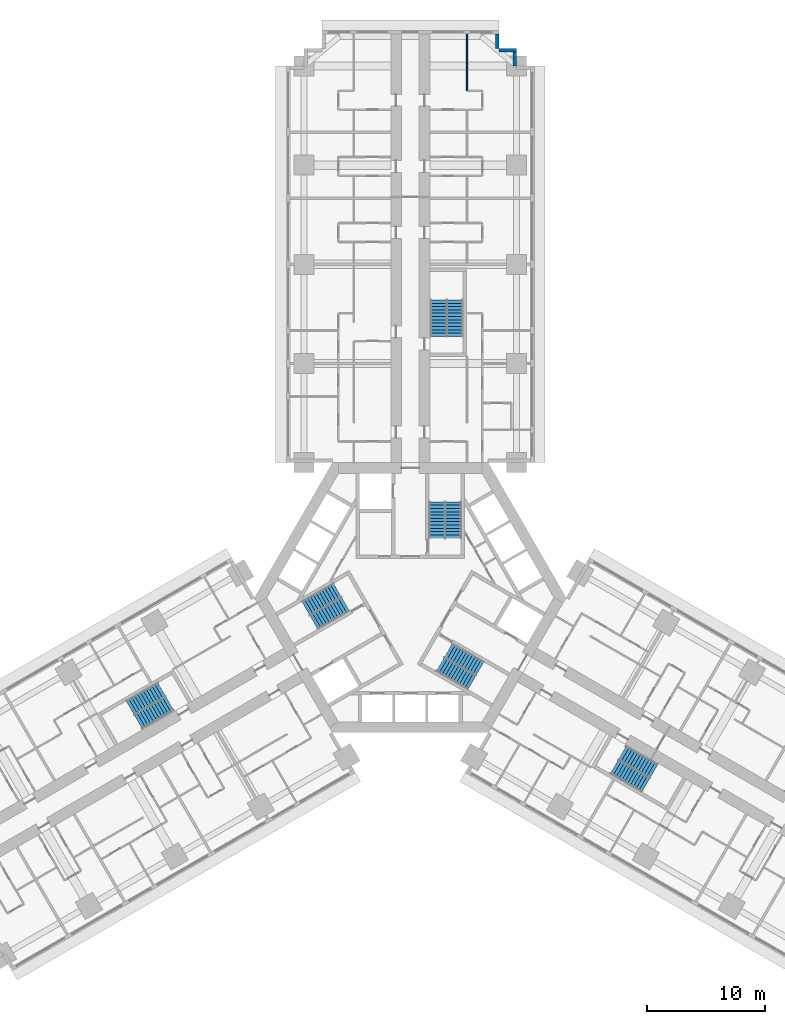
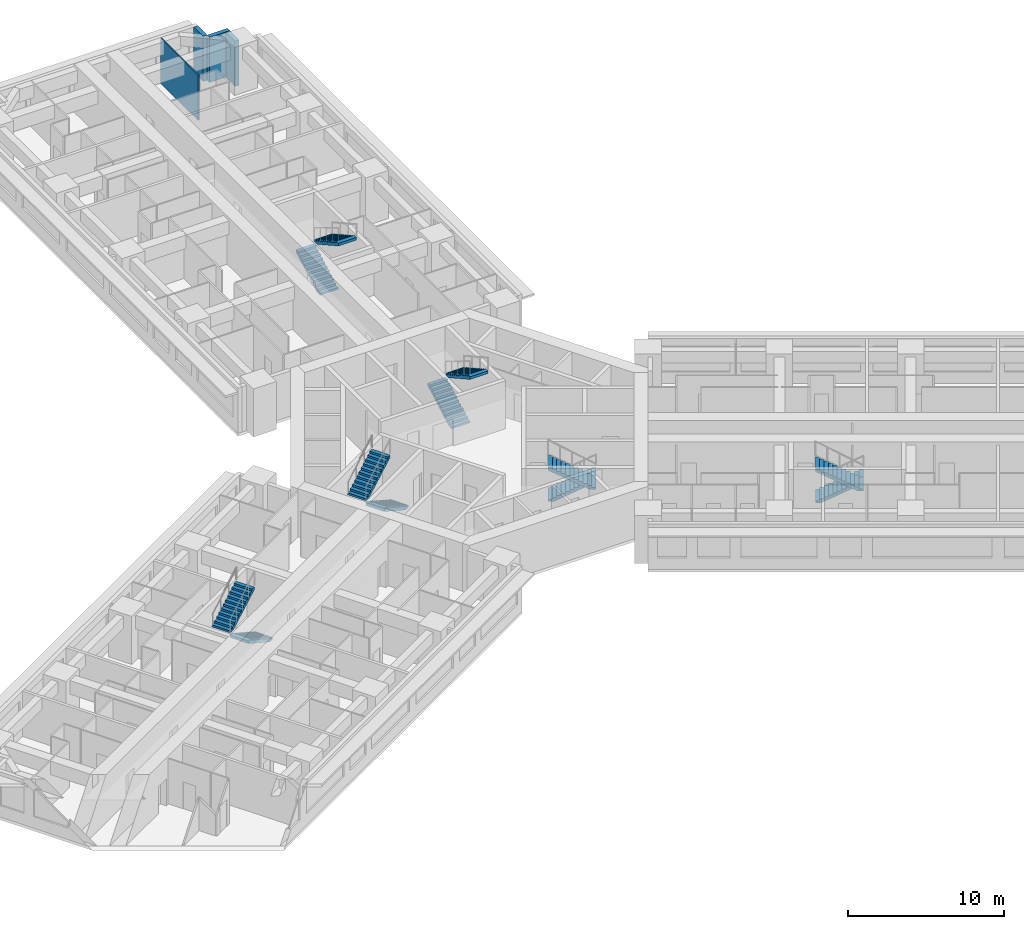
# One storey, part 15 of 16: 12 stair flights, 4 walls, 6 elements without a shape of their own.
"""IFC4 building model written with IfcOpenShell, lengths in metres."""

from ifc_helpers import new_model, si_unit, direction, frame, frame_2d, origin, place, context, subcontext, project, spatial, polyline, rectangle, outline, extrude, material, layer, layer_set, type_object, element, aggregate, save


model = new_model("IFC4")

# Units and contexts
model_context = context("Model", 3, precision=1e-05, world=origin(), true_north=direction((0.0, 1.0)))
body_context = subcontext(model_context, "Body", "Model", "MODEL_VIEW")
ifc_project = project(units=[si_unit("LENGTHUNIT", "METRE"), si_unit("AREAUNIT", "SQUARE_METRE"), si_unit("VOLUMEUNIT", "CUBIC_METRE"), si_unit("PLANEANGLEUNIT", "RADIAN"), si_unit("MASSUNIT", "GRAM", prefix="KILO")], contexts=[model_context])

# Site, building, storey
site_placement = place(None, origin())
site = spatial("IfcSite", under=ifc_project, at=site_placement, CompositionType="ELEMENT")
building_placement = place(site_placement, origin())
building = spatial("IfcBuilding", under=site, at=building_placement, Name="Impinga Residences", CompositionType="ELEMENT")
storey_placement = place(building_placement, frame((0.0, 0.0, 48.5)))
storey = spatial("IfcBuildingStorey", under=building, at=storey_placement, Name="L11", CompositionType="ELEMENT", Elevation=48.5)

# Walls
ifc_material_1 = material(Name="Terracotta rainscreen on blockwork", Category="masonry")
ifc_layer_1 = layer(ifc_material_1, 0.300048828125)
ifc_layer_set_1 = layer_set([ifc_layer_1], Name="EW1 external wall, terracotta rainscreen on blockwork 300")
wall_type_1 = type_object("IfcWallType", Name="EW1 external wall, terracotta rainscreen on blockwork 300", PredefinedType="SOLIDWALL", material=ifc_layer_set_1)
wall_1_placement = place(storey_placement, frame((7.35009765625, 47.7314453125, 0.0), z_axis=(0.0, 0.0, 1.0), x_axis=(0.0, -1.0, 0.0)))
element("IfcWall", 1, at=wall_1_placement, inside=storey, type_object=wall_type_1, Name="External wall EW1 L11", PredefinedType="SOLIDWALL", context=body_context, shape_type="SweptSolid", body=[
    extrude(rectangle(XDim=1.19482421875, YDim=0.300048828125, at=frame_2d((0.597412109375, 0.0))), origin(), (0.0, 0.0, 1.0), 3.530029296875),
])
wall_2_placement = place(storey_placement, frame((7.5, 46.381591796875, 0.0), z_axis=(0.0, 0.0, 1.0), x_axis=(1.0, 0.0, 0.0)))
element("IfcWall", 2, at=wall_2_placement, inside=storey, type_object=wall_type_1, Name="External wall EW1 L11", PredefinedType="SOLIDWALL", context=body_context, shape_type="SweptSolid", body=[
    extrude(rectangle(XDim=1.5, YDim=0.300048828125, at=frame_2d((0.75, 0.0))), origin(), (0.0, 0.0, 1.0), 3.530029296875),
])
wall_3_placement = place(storey_placement, frame((8.85009765625, 46.2314453125, 0.0), z_axis=(0.0, 0.0, 1.0), x_axis=(0.0, -1.0, 0.0)))
element("IfcWall", 3, at=wall_3_placement, inside=storey, type_object=wall_type_1, Name="External wall EW1 L11", PredefinedType="SOLIDWALL", context=body_context, shape_type="SweptSolid", body=[
    extrude(rectangle(XDim=1.199951171875, YDim=0.300048828125, at=frame_2d((0.60009765625, 0.0))), origin(), (0.0, 0.0, 1.0), 3.530029296875),
])
ifc_material_2 = material(Name="Gypsum board on steel studs", Category="steel")
ifc_layer_2 = layer(ifc_material_2, 0.10009765625)
ifc_layer_set_2 = layer_set([ifc_layer_2], Name="Gypsum board on steel studs")
wall_type_2 = type_object("IfcWallType", Name="IP1 partition 100", PredefinedType="PARTITIONING", material=ifc_layer_set_2)
wall_4_placement = place(storey_placement, frame((4.800048828125, 42.931640625, 0.0), z_axis=(0.0, 0.0, 1.0), x_axis=(0.0, 1.0, 0.0)))
element("IfcWall", 4, at=wall_4_placement, inside=storey, type_object=wall_type_2, Name="Partition L11-NF4:DIV1", PredefinedType="PARTITIONING", context=body_context, shape_type="SweptSolid", body=[
    extrude(rectangle(XDim=4.7998046875, YDim=0.10009765625, at=frame_2d((2.39990234375, 0.0))), origin(), (0.0, 0.0, 1.0), 3.530029296875),
])

# Stair, stair flights
ifc_material_3 = material(Name="Concrete C40/50", Category="concrete")
stair_type_1 = type_object("IfcStairType", Name="STR core stair 3750 storey, 24 risers", PredefinedType="HALF_TURN_STAIR", material=ifc_material_3)
stair_1_placement = place(storey_placement, origin())
stair_1 = element("IfcStair", 5, at=stair_1_placement, inside=storey, type_object=stair_type_1, Name="Stair ST1 L11", PredefinedType="HALF_TURN_STAIR")
stair_flight_type = type_object("IfcStairFlightType", Name="SF 12 risers of 156", PredefinedType="STRAIGHT", material=ifc_material_3)
stair_flight_1_placement = place(storey_placement, frame((2.27490234375, 5.030029296875, 0.0), z_axis=(0.0, 0.0, 1.0), x_axis=(0.0, 1.0, 0.0)))
stair_flight_1 = element("IfcStairFlight", 6, at=stair_flight_1_placement, type_object=stair_flight_type, Name="ST1 flight 1", NumberOfRisers=12, NumberOfTreads=11, PredefinedType="STRAIGHT", RiserHeight=0.15625, TreadLength=0.28, context=body_context, shape_type="SweptSolid", body=[
    extrude(outline(polyline([(0.0, 0.0), (0.0, 0.15625), (0.280029296875, 0.15625), (0.280029296875, 0.3125), (0.56005859375, 0.3125), (0.56005859375, 0.46875), (0.840087890625, 0.46875), (0.840087890625, 0.625), (1.1201171875, 0.625), (1.1201171875, 0.78125), (1.39990234375, 0.78125), (1.39990234375, 0.9375), (1.679931640625, 0.9375), (1.679931640625, 1.09375), (1.9599609375, 1.09375), (1.9599609375, 1.25), (2.239990234375, 1.25), (2.239990234375, 1.40625), (2.52001953125, 1.40625), (2.52001953125, 1.5625), (2.800048828125, 1.5625), (2.800048828125, 1.71875), (3.080078125, 1.71875), (3.080078125, 1.875), (3.080078125, 1.5126953125), (0.369140625, 0.0), (0.0, 0.0)])), frame((0.0, 0.675048828125, 0.0), z_axis=(0.0, -1.0, 0.0), x_axis=(1.0, 0.0, 0.0)), (0.0, 0.0, 1.0), 1.35009765625),
])
stair_flight_2_placement = place(storey_placement, frame((3.625, 8.110107421875, 1.875), z_axis=(0.0, 0.0, 1.0), x_axis=(0.0, -1.0, 0.0)))
stair_flight_2 = element("IfcStairFlight", 7, at=stair_flight_2_placement, type_object=stair_flight_type, Name="ST1 flight 2", NumberOfRisers=12, NumberOfTreads=11, PredefinedType="STRAIGHT", RiserHeight=0.15625, TreadLength=0.28, context=body_context, shape_type="SweptSolid", body=[
    extrude(outline(polyline([(0.0, 0.0), (0.0, 0.15625), (0.280029296875, 0.15625), (0.280029296875, 0.3125), (0.56005859375, 0.3125), (0.56005859375, 0.46875), (0.840087890625, 0.46875), (0.840087890625, 0.625), (1.1201171875, 0.625), (1.1201171875, 0.78125), (1.39990234375, 0.78125), (1.39990234375, 0.9375), (1.679931640625, 0.9375), (1.679931640625, 1.09375), (1.9599609375, 1.09375), (1.9599609375, 1.25), (2.239990234375, 1.25), (2.239990234375, 1.40625), (2.52001953125, 1.40625), (2.52001953125, 1.5625), (2.800048828125, 1.5625), (2.800048828125, 1.71875), (3.080078125, 1.71875), (3.080078125, 1.875), (3.080078125, 1.5126953125), (0.369140625, 0.0), (0.0, 0.0)])), frame((0.0, 0.675048828125, 0.0), z_axis=(0.0, -1.0, 0.0), x_axis=(1.0, 0.0, 0.0)), (0.0, 0.0, 1.0), 1.35009765625),
])
aggregate(stair_1, [stair_flight_1, stair_flight_2])

stair_2_placement = place(storey_placement, origin())
stair_2 = element("IfcStair", 8, at=stair_2_placement, inside=storey, type_object=stair_type_1, Name="Stair ST2 L11", PredefinedType="HALF_TURN_STAIR")
stair_flight_3_placement = place(storey_placement, frame((-5.49365234375, -0.544677734375, 0.0), z_axis=(0.0, 0.0, 1.0), x_axis=(-0.866025403784, -0.5, 0.0)))
stair_flight_3 = element("IfcStairFlight", 9, at=stair_flight_3_placement, type_object=stair_flight_type, Name="ST2 flight 1", NumberOfRisers=12, NumberOfTreads=11, PredefinedType="STRAIGHT", RiserHeight=0.15625, TreadLength=0.28, context=body_context, shape_type="SweptSolid", body=[
    extrude(outline(polyline([(0.0, 0.0), (0.0, 0.15625), (0.280029296875, 0.15625), (0.280029296875, 0.3125), (0.56005859375, 0.3125), (0.56005859375, 0.46875), (0.840087890625, 0.46875), (0.840087890625, 0.625), (1.1201171875, 0.625), (1.1201171875, 0.78125), (1.39990234375, 0.78125), (1.39990234375, 0.9375), (1.679931640625, 0.9375), (1.679931640625, 1.09375), (1.9599609375, 1.09375), (1.9599609375, 1.25), (2.239990234375, 1.25), (2.239990234375, 1.40625), (2.52001953125, 1.40625), (2.52001953125, 1.5625), (2.800048828125, 1.5625), (2.800048828125, 1.71875), (3.080078125, 1.71875), (3.080078125, 1.875), (3.080078125, 1.5126953125), (0.369140625, 0.0), (0.0, 0.0)])), frame((0.0, 0.675048828125, 0.0), z_axis=(0.0, -1.0, 0.0), x_axis=(1.0, 0.0, 0.0)), (0.0, 0.0, 1.0), 1.35009765625),
])
stair_flight_4_placement = place(storey_placement, frame((-8.8359375, -0.915771484375, 1.875), z_axis=(0.0, 0.0, 1.0), x_axis=(0.866025403784, 0.5, 0.0)))
stair_flight_4 = element("IfcStairFlight", 10, at=stair_flight_4_placement, type_object=stair_flight_type, Name="ST2 flight 2", NumberOfRisers=12, NumberOfTreads=11, PredefinedType="STRAIGHT", RiserHeight=0.15625, TreadLength=0.28, context=body_context, shape_type="SweptSolid", body=[
    extrude(outline(polyline([(0.0, 0.0), (0.0, 0.15625), (0.280029296875, 0.15625), (0.280029296875, 0.3125), (0.56005859375, 0.3125), (0.56005859375, 0.46875), (0.840087890625, 0.46875), (0.840087890625, 0.625), (1.1201171875, 0.625), (1.1201171875, 0.78125), (1.39990234375, 0.78125), (1.39990234375, 0.9375), (1.679931640625, 0.9375), (1.679931640625, 1.09375), (1.9599609375, 1.09375), (1.9599609375, 1.25), (2.239990234375, 1.25), (2.239990234375, 1.40625), (2.52001953125, 1.40625), (2.52001953125, 1.5625), (2.800048828125, 1.5625), (2.800048828125, 1.71875), (3.080078125, 1.71875), (3.080078125, 1.875), (3.080078125, 1.5126953125), (0.369140625, 0.0), (0.0, 0.0)])), frame((0.0, 0.675048828125, 0.0), z_axis=(0.0, -1.0, 0.0), x_axis=(1.0, 0.0, 0.0)), (0.0, 0.0, 1.0), 1.35009765625),
])
aggregate(stair_2, [stair_flight_3, stair_flight_4])

stair_3_placement = place(storey_placement, origin())
stair_3 = element("IfcStair", 11, at=stair_3_placement, inside=storey, type_object=stair_type_1, Name="Stair ST3 L11", PredefinedType="HALF_TURN_STAIR")
stair_flight_5_placement = place(storey_placement, frame((3.218505859375, -4.485107421875, 0.0), z_axis=(0.0, 0.0, 1.0), x_axis=(0.866025403784, -0.5, 0.0)))
stair_flight_5 = element("IfcStairFlight", 12, at=stair_flight_5_placement, type_object=stair_flight_type, Name="ST3 flight 1", NumberOfRisers=12, NumberOfTreads=11, PredefinedType="STRAIGHT", RiserHeight=0.15625, TreadLength=0.28, context=body_context, shape_type="SweptSolid", body=[
    extrude(outline(polyline([(0.0, 0.0), (0.0, 0.15625), (0.280029296875, 0.15625), (0.280029296875, 0.3125), (0.56005859375, 0.3125), (0.56005859375, 0.46875), (0.840087890625, 0.46875), (0.840087890625, 0.625), (1.1201171875, 0.625), (1.1201171875, 0.78125), (1.39990234375, 0.78125), (1.39990234375, 0.9375), (1.679931640625, 0.9375), (1.679931640625, 1.09375), (1.9599609375, 1.09375), (1.9599609375, 1.25), (2.239990234375, 1.25), (2.239990234375, 1.40625), (2.52001953125, 1.40625), (2.52001953125, 1.5625), (2.800048828125, 1.5625), (2.800048828125, 1.71875), (3.080078125, 1.71875), (3.080078125, 1.875), (3.080078125, 1.5126953125), (0.369140625, 0.0), (0.0, 0.0)])), frame((0.0, 0.675048828125, 0.0), z_axis=(0.0, -1.0, 0.0), x_axis=(1.0, 0.0, 0.0)), (0.0, 0.0, 1.0), 1.35009765625),
])
stair_flight_6_placement = place(storey_placement, frame((5.2109375, -7.1943359375, 1.875), z_axis=(0.0, 0.0, 1.0), x_axis=(-0.866025403784, 0.5, 0.0)))
stair_flight_6 = element("IfcStairFlight", 13, at=stair_flight_6_placement, type_object=stair_flight_type, Name="ST3 flight 2", NumberOfRisers=12, NumberOfTreads=11, PredefinedType="STRAIGHT", RiserHeight=0.15625, TreadLength=0.28, context=body_context, shape_type="SweptSolid", body=[
    extrude(outline(polyline([(0.0, 0.0), (0.0, 0.15625), (0.280029296875, 0.15625), (0.280029296875, 0.3125), (0.56005859375, 0.3125), (0.56005859375, 0.46875), (0.840087890625, 0.46875), (0.840087890625, 0.625), (1.1201171875, 0.625), (1.1201171875, 0.78125), (1.39990234375, 0.78125), (1.39990234375, 0.9375), (1.679931640625, 0.9375), (1.679931640625, 1.09375), (1.9599609375, 1.09375), (1.9599609375, 1.25), (2.239990234375, 1.25), (2.239990234375, 1.40625), (2.52001953125, 1.40625), (2.52001953125, 1.5625), (2.800048828125, 1.5625), (2.800048828125, 1.71875), (3.080078125, 1.71875), (3.080078125, 1.875), (3.080078125, 1.5126953125), (0.369140625, 0.0), (0.0, 0.0)])), frame((0.0, 0.675048828125, 0.0), z_axis=(0.0, -1.0, 0.0), x_axis=(1.0, 0.0, 0.0)), (0.0, 0.0, 1.0), 1.35009765625),
])
aggregate(stair_3, [stair_flight_5, stair_flight_6])

stair_type_2 = type_object("IfcStairType", Name="STR wing stair 3750 storey, 24 risers", PredefinedType="HALF_TURN_STAIR", material=ifc_material_3)
stair_4_placement = place(storey_placement, origin())
stair_4 = element("IfcStair", 14, at=stair_4_placement, inside=storey, type_object=stair_type_2, Name="Stair WS1 L11", PredefinedType="HALF_TURN_STAIR")
stair_flight_7_placement = place(storey_placement, frame((2.425048828125, 22.131591796875, 0.0), z_axis=(0.0, 0.0, 1.0), x_axis=(0.0, 1.0, 0.0)))
stair_flight_7 = element("IfcStairFlight", 15, at=stair_flight_7_placement, type_object=stair_flight_type, Name="WS1 flight 1", NumberOfRisers=12, NumberOfTreads=11, PredefinedType="STRAIGHT", RiserHeight=0.15625, TreadLength=0.28, context=body_context, shape_type="SweptSolid", body=[
    extrude(outline(polyline([(0.0, 0.0), (0.0, 0.15625), (0.280029296875, 0.15625), (0.280029296875, 0.3125), (0.56005859375, 0.3125), (0.56005859375, 0.46875), (0.840087890625, 0.46875), (0.840087890625, 0.625), (1.1201171875, 0.625), (1.1201171875, 0.78125), (1.39990234375, 0.78125), (1.39990234375, 0.9375), (1.679931640625, 0.9375), (1.679931640625, 1.09375), (1.9599609375, 1.09375), (1.9599609375, 1.25), (2.239990234375, 1.25), (2.239990234375, 1.40625), (2.52001953125, 1.40625), (2.52001953125, 1.5625), (2.800048828125, 1.5625), (2.800048828125, 1.71875), (3.080078125, 1.71875), (3.080078125, 1.875), (3.080078125, 1.5126953125), (0.369140625, 0.0), (0.0, 0.0)])), frame((0.0, 0.675048828125, 0.0), z_axis=(0.0, -1.0, 0.0), x_axis=(1.0, 0.0, 0.0)), (0.0, 0.0, 1.0), 1.35009765625),
])
stair_flight_8_placement = place(storey_placement, frame((3.77490234375, 25.21142578125, 1.875), z_axis=(0.0, 0.0, 1.0), x_axis=(0.0, -1.0, 0.0)))
stair_flight_8 = element("IfcStairFlight", 16, at=stair_flight_8_placement, type_object=stair_flight_type, Name="WS1 flight 2", NumberOfRisers=12, NumberOfTreads=11, PredefinedType="STRAIGHT", RiserHeight=0.15625, TreadLength=0.28, context=body_context, shape_type="SweptSolid", body=[
    extrude(outline(polyline([(0.0, 0.0), (0.0, 0.15625), (0.280029296875, 0.15625), (0.280029296875, 0.3125), (0.56005859375, 0.3125), (0.56005859375, 0.46875), (0.840087890625, 0.46875), (0.840087890625, 0.625), (1.1201171875, 0.625), (1.1201171875, 0.78125), (1.39990234375, 0.78125), (1.39990234375, 0.9375), (1.679931640625, 0.9375), (1.679931640625, 1.09375), (1.9599609375, 1.09375), (1.9599609375, 1.25), (2.239990234375, 1.25), (2.239990234375, 1.40625), (2.52001953125, 1.40625), (2.52001953125, 1.5625), (2.800048828125, 1.5625), (2.800048828125, 1.71875), (3.080078125, 1.71875), (3.080078125, 1.875), (3.080078125, 1.5126953125), (0.369140625, 0.0), (0.0, 0.0)])), frame((0.0, 0.675048828125, 0.0), z_axis=(0.0, -1.0, 0.0), x_axis=(1.0, 0.0, 0.0)), (0.0, 0.0, 1.0), 1.35009765625),
])
aggregate(stair_4, [stair_flight_7, stair_flight_8])

stair_5_placement = place(storey_placement, origin())
stair_5 = element("IfcStair", 17, at=stair_5_placement, inside=storey, type_object=stair_type_2, Name="Stair WS2 L11", PredefinedType="HALF_TURN_STAIR")
stair_flight_9_placement = place(storey_placement, frame((-20.37890625, -8.965576171875, 0.0), z_axis=(0.0, 0.0, 1.0), x_axis=(-0.866025403784, -0.5, 0.0)))
stair_flight_9 = element("IfcStairFlight", 18, at=stair_flight_9_placement, type_object=stair_flight_type, Name="WS2 flight 1", NumberOfRisers=12, NumberOfTreads=11, PredefinedType="STRAIGHT", RiserHeight=0.15625, TreadLength=0.28, context=body_context, shape_type="SweptSolid", body=[
    extrude(outline(polyline([(0.0, 0.0), (0.0, 0.15625), (0.280029296875, 0.15625), (0.280029296875, 0.3125), (0.56005859375, 0.3125), (0.56005859375, 0.46875), (0.840087890625, 0.46875), (0.840087890625, 0.625), (1.1201171875, 0.625), (1.1201171875, 0.78125), (1.39990234375, 0.78125), (1.39990234375, 0.9375), (1.679931640625, 0.9375), (1.679931640625, 1.09375), (1.9599609375, 1.09375), (1.9599609375, 1.25), (2.239990234375, 1.25), (2.239990234375, 1.40625), (2.52001953125, 1.40625), (2.52001953125, 1.5625), (2.800048828125, 1.5625), (2.800048828125, 1.71875), (3.080078125, 1.71875), (3.080078125, 1.875), (3.080078125, 1.5126953125), (0.369140625, 0.0), (0.0, 0.0)])), frame((0.0, 0.675048828125, 0.0), z_axis=(0.0, -1.0, 0.0), x_axis=(1.0, 0.0, 0.0)), (0.0, 0.0, 1.0), 1.35009765625),
])
stair_flight_10_placement = place(storey_placement, frame((-23.721435546875, -9.33642578125, 1.875), z_axis=(0.0, 0.0, 1.0), x_axis=(0.866025403784, 0.5, 0.0)))
stair_flight_10 = element("IfcStairFlight", 19, at=stair_flight_10_placement, type_object=stair_flight_type, Name="WS2 flight 2", NumberOfRisers=12, NumberOfTreads=11, PredefinedType="STRAIGHT", RiserHeight=0.15625, TreadLength=0.28, context=body_context, shape_type="SweptSolid", body=[
    extrude(outline(polyline([(0.0, 0.0), (0.0, 0.15625), (0.280029296875, 0.15625), (0.280029296875, 0.3125), (0.56005859375, 0.3125), (0.56005859375, 0.46875), (0.840087890625, 0.46875), (0.840087890625, 0.625), (1.1201171875, 0.625), (1.1201171875, 0.78125), (1.39990234375, 0.78125), (1.39990234375, 0.9375), (1.679931640625, 0.9375), (1.679931640625, 1.09375), (1.9599609375, 1.09375), (1.9599609375, 1.25), (2.239990234375, 1.25), (2.239990234375, 1.40625), (2.52001953125, 1.40625), (2.52001953125, 1.5625), (2.800048828125, 1.5625), (2.800048828125, 1.71875), (3.080078125, 1.71875), (3.080078125, 1.875), (3.080078125, 1.5126953125), (0.369140625, 0.0), (0.0, 0.0)])), frame((0.0, 0.675048828125, 0.0), z_axis=(0.0, -1.0, 0.0), x_axis=(1.0, 0.0, 0.0)), (0.0, 0.0, 1.0), 1.35009765625),
])
aggregate(stair_5, [stair_flight_9, stair_flight_10])

stair_6_placement = place(storey_placement, origin())
stair_6 = element("IfcStair", 20, at=stair_6_placement, inside=storey, type_object=stair_type_2, Name="Stair WS3 L11", PredefinedType="HALF_TURN_STAIR")
stair_flight_11_placement = place(storey_placement, frame((17.953857421875, -13.165771484375, 0.0), z_axis=(0.0, 0.0, 1.0), x_axis=(0.866025403784, -0.5, 0.0)))
stair_flight_11 = element("IfcStairFlight", 21, at=stair_flight_11_placement, type_object=stair_flight_type, Name="WS3 flight 1", NumberOfRisers=12, NumberOfTreads=11, PredefinedType="STRAIGHT", RiserHeight=0.15625, TreadLength=0.28, context=body_context, shape_type="SweptSolid", body=[
    extrude(outline(polyline([(0.0, 0.0), (0.0, 0.15625), (0.280029296875, 0.15625), (0.280029296875, 0.3125), (0.56005859375, 0.3125), (0.56005859375, 0.46875), (0.840087890625, 0.46875), (0.840087890625, 0.625), (1.1201171875, 0.625), (1.1201171875, 0.78125), (1.39990234375, 0.78125), (1.39990234375, 0.9375), (1.679931640625, 0.9375), (1.679931640625, 1.09375), (1.9599609375, 1.09375), (1.9599609375, 1.25), (2.239990234375, 1.25), (2.239990234375, 1.40625), (2.52001953125, 1.40625), (2.52001953125, 1.5625), (2.800048828125, 1.5625), (2.800048828125, 1.71875), (3.080078125, 1.71875), (3.080078125, 1.875), (3.080078125, 1.5126953125), (0.369140625, 0.0), (0.0, 0.0)])), frame((0.0, 0.675048828125, 0.0), z_axis=(0.0, -1.0, 0.0), x_axis=(1.0, 0.0, 0.0)), (0.0, 0.0, 1.0), 1.35009765625),
])
stair_flight_12_placement = place(storey_placement, frame((19.9462890625, -15.875, 1.875), z_axis=(0.0, 0.0, 1.0), x_axis=(-0.866025403784, 0.5, 0.0)))
stair_flight_12 = element("IfcStairFlight", 22, at=stair_flight_12_placement, type_object=stair_flight_type, Name="WS3 flight 2", NumberOfRisers=12, NumberOfTreads=11, PredefinedType="STRAIGHT", RiserHeight=0.15625, TreadLength=0.28, context=body_context, shape_type="SweptSolid", body=[
    extrude(outline(polyline([(0.0, 0.0), (0.0, 0.15625), (0.280029296875, 0.15625), (0.280029296875, 0.3125), (0.56005859375, 0.3125), (0.56005859375, 0.46875), (0.840087890625, 0.46875), (0.840087890625, 0.625), (1.1201171875, 0.625), (1.1201171875, 0.78125), (1.39990234375, 0.78125), (1.39990234375, 0.9375), (1.679931640625, 0.9375), (1.679931640625, 1.09375), (1.9599609375, 1.09375), (1.9599609375, 1.25), (2.239990234375, 1.25), (2.239990234375, 1.40625), (2.52001953125, 1.40625), (2.52001953125, 1.5625), (2.800048828125, 1.5625), (2.800048828125, 1.71875), (3.080078125, 1.71875), (3.080078125, 1.875), (3.080078125, 1.5126953125), (0.369140625, 0.0), (0.0, 0.0)])), frame((0.0, 0.675048828125, 0.0), z_axis=(0.0, -1.0, 0.0), x_axis=(1.0, 0.0, 0.0)), (0.0, 0.0, 1.0), 1.35009765625),
])
aggregate(stair_6, [stair_flight_11, stair_flight_12])

save(model, "model.ifc")
